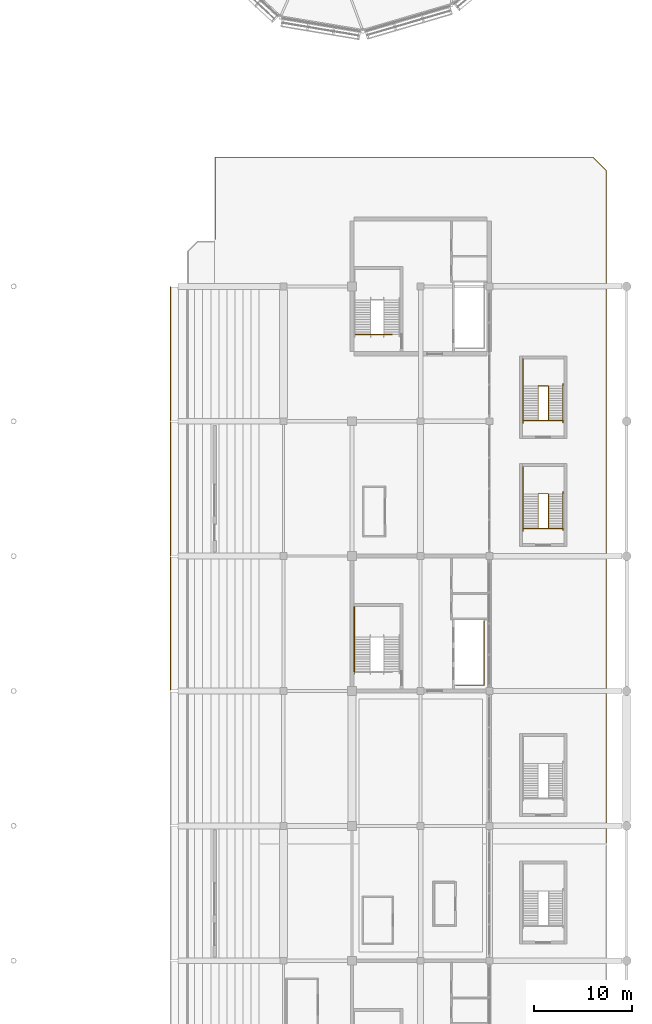
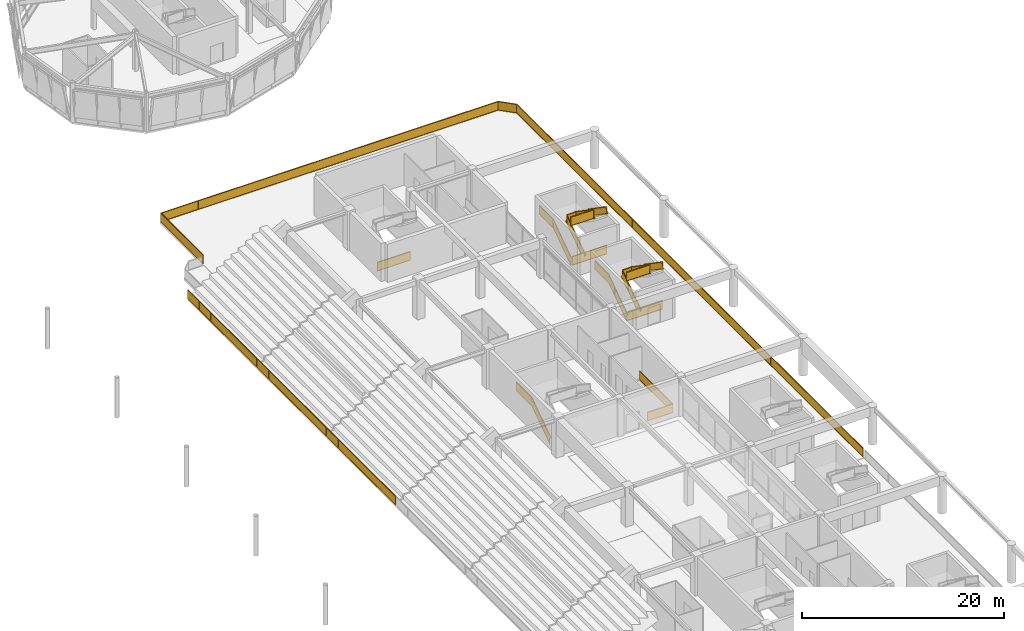
# One storey, part 88 of 94: 15 railings.
"""IFC4 building model written with IfcOpenShell, lengths in metres."""

from ifc_helpers import new_model, si_unit, direction, frame, origin, origin_2d, place, context, subcontext, project, spatial, rectangle, extrude, material, type_object, element, save


model = new_model("IFC4")

# Units and contexts
model_context = context("Model", 3, precision=1e-05, world=origin(), true_north=direction((0.0, 1.0)))
body_context = subcontext(model_context, "Body", "Model", "MODEL_VIEW")
ifc_project = project(units=[si_unit("LENGTHUNIT", "METRE"), si_unit("AREAUNIT", "SQUARE_METRE"), si_unit("VOLUMEUNIT", "CUBIC_METRE"), si_unit("PLANEANGLEUNIT", "RADIAN"), si_unit("MASSUNIT", "GRAM", prefix="KILO")], contexts=[model_context])

# Site, building, storey
site_placement = place(None, origin())
site = spatial("IfcSite", under=ifc_project, at=site_placement, CompositionType="ELEMENT")
building_placement = place(site_placement, origin())
building = spatial("IfcBuilding", under=site, at=building_placement, Name="Linyun Crest Stadium", CompositionType="ELEMENT")
storey_placement = place(building_placement, frame((0.0, 0.0, 16.199951171875)))
storey = spatial("IfcBuildingStorey", under=building, at=storey_placement, Name="L04", CompositionType="ELEMENT", Elevation=16.199951171875)

# Railings
ifc_material_1 = material(Name="Galvanized and powder-coated steel bowl safety barrier", Category="steel")
railing_type_1 = type_object("IfcRailingType", Name="GR02", PredefinedType="GUARDRAIL", material=ifc_material_1)
for number, where, name in (
    (1, (51.5, 2.205078125, 0.35009765625), "Bowl front safety guard GR02 39"),
    (2, (51.5, 15.955078125, 0.35009765625), "Bowl front safety guard GR02 47"),
    (3, (51.5, 29.705078125, 0.35009765625), "Bowl front safety guard GR02 55"),
):
    element("IfcRailing", number, at=place(storey_placement, frame(where)), inside=storey, type_object=railing_type_1, Name=name, PredefinedType="GUARDRAIL", context=body_context, shape_type="SweptSolid", body=[
        extrude(rectangle(XDim=0.06005859375, YDim=0.06005859375, at=origin_2d()), frame((0.0, 0.0, 1.090087890625), z_axis=(0.0, 1.0, 0.0), x_axis=(-1.0, 0.0, 0.0)), (0.0, 0.0, 1.0), 13.58984375),
        extrude(rectangle(XDim=0.030029296875, YDim=1.0, at=origin_2d()), frame((0.0, 0.0, 0.56005859375), z_axis=(0.0, 1.0, 0.0), x_axis=(-1.0, 0.0, 0.0)), (0.0, 0.0, 1.0), 13.58984375),
        extrude(rectangle(XDim=0.06005859375, YDim=0.06005859375, at=origin_2d()), frame((0.0, 0.0, 0.030029296875), z_axis=(0.0, 1.0, 0.0), x_axis=(-1.0, 0.0, 0.0)), (0.0, 0.0, 1.0), 13.58984375),
        extrude(rectangle(XDim=0.050048828125, YDim=0.050048828125, at=origin_2d()), origin(), (0.0, 0.0, 1.0), 1.1201171875),
        extrude(rectangle(XDim=0.050048828125, YDim=0.050048828125, at=origin_2d()), frame((0.0, 2.264892578125, 0.0)), (0.0, 0.0, 1.0), 1.1201171875),
        extrude(rectangle(XDim=0.050048828125, YDim=0.050048828125, at=origin_2d()), frame((0.0, 4.530029296875, 0.0)), (0.0, 0.0, 1.0), 1.1201171875),
        extrude(rectangle(XDim=0.050048828125, YDim=0.050048828125, at=origin_2d()), frame((0.0, 6.794921875, 0.0)), (0.0, 0.0, 1.0), 1.1201171875),
        extrude(rectangle(XDim=0.050048828125, YDim=0.050048828125, at=origin_2d()), frame((0.0, 9.059814453125, 0.0)), (0.0, 0.0, 1.0), 1.1201171875),
        extrude(rectangle(XDim=0.050048828125, YDim=0.050048828125, at=origin_2d()), frame((0.0, 11.324951171875, 0.0)), (0.0, 0.0, 1.0), 1.1201171875),
        extrude(rectangle(XDim=0.050048828125, YDim=0.050048828125, at=origin_2d()), frame((0.0, 13.58984375, 0.0)), (0.0, 0.0, 1.0), 1.1201171875),
    ])
railing_1_placement = place(storey_placement, frame((56.06005859375, 48.160888671875, 0.0)))
element("IfcRailing", 4, at=railing_1_placement, inside=storey, type_object=railing_type_1, Name="Slab edge balustrade GR02 161", PredefinedType="GUARDRAIL", context=body_context, shape_type="SweptSolid", body=[
    extrude(rectangle(XDim=0.06005859375, YDim=0.06005859375, at=origin_2d()), frame((0.0, 0.0, 1.090087890625), z_axis=(0.0, 1.0, 0.0), x_axis=(-1.0, 0.0, 0.0)), (0.0, 0.0, 1.0), 8.364013671875),
    extrude(rectangle(XDim=0.030029296875, YDim=1.0, at=origin_2d()), frame((0.0, 0.0, 0.56005859375), z_axis=(0.0, 1.0, 0.0), x_axis=(-1.0, 0.0, 0.0)), (0.0, 0.0, 1.0), 8.364013671875),
    extrude(rectangle(XDim=0.06005859375, YDim=0.06005859375, at=origin_2d()), frame((0.0, 0.0, 0.030029296875), z_axis=(0.0, 1.0, 0.0), x_axis=(-1.0, 0.0, 0.0)), (0.0, 0.0, 1.0), 8.364013671875),
    extrude(rectangle(XDim=0.06005859375, YDim=0.06005859375, at=origin_2d()), frame((0.0, 8.364013671875, 1.090087890625), z_axis=(1.0, 0.0, 0.0), x_axis=(0.0, 1.0, 0.0)), (0.0, 0.0, 1.0), 38.514892578125),
    extrude(rectangle(XDim=0.030029296875, YDim=1.0, at=origin_2d()), frame((0.0, 8.364013671875, 0.56005859375), z_axis=(1.0, 0.0, 0.0), x_axis=(0.0, 1.0, 0.0)), (0.0, 0.0, 1.0), 38.514892578125),
    extrude(rectangle(XDim=0.06005859375, YDim=0.06005859375, at=origin_2d()), frame((0.0, 8.364013671875, 0.030029296875), z_axis=(1.0, 0.0, 0.0), x_axis=(0.0, 1.0, 0.0)), (0.0, 0.0, 1.0), 38.514892578125),
    extrude(rectangle(XDim=0.06005859375, YDim=0.06005859375, at=origin_2d()), frame((38.514892578125, 8.364013671875, 1.090087890625), z_axis=(0.707106781187, -0.707106781187, 0.0), x_axis=(0.707106781187, 0.707106781187, 0.0)), (0.0, 0.0, 1.0), 1.930419921875),
    extrude(rectangle(XDim=0.030029296875, YDim=1.0, at=origin_2d()), frame((38.514892578125, 8.364013671875, 0.56005859375), z_axis=(0.707106781187, -0.707106781187, 0.0), x_axis=(0.707106781187, 0.707106781187, 0.0)), (0.0, 0.0, 1.0), 1.930419921875),
    extrude(rectangle(XDim=0.06005859375, YDim=0.06005859375, at=origin_2d()), frame((38.514892578125, 8.364013671875, 0.030029296875), z_axis=(0.707106781187, -0.707106781187, 0.0), x_axis=(0.707106781187, 0.707106781187, 0.0)), (0.0, 0.0, 1.0), 1.930419921875),
    extrude(rectangle(XDim=0.06005859375, YDim=0.06005859375, at=origin_2d()), frame((39.8798828125, 6.9990234375, 1.090087890625), z_axis=(0.0, -1.0, 0.0), x_axis=(1.0, 0.0, 0.0)), (0.0, 0.0, 1.0), 68.489990234375),
    extrude(rectangle(XDim=0.030029296875, YDim=1.0, at=origin_2d()), frame((39.8798828125, 6.9990234375, 0.56005859375), z_axis=(0.0, -1.0, 0.0), x_axis=(1.0, 0.0, 0.0)), (0.0, 0.0, 1.0), 68.489990234375),
    extrude(rectangle(XDim=0.06005859375, YDim=0.06005859375, at=origin_2d()), frame((39.8798828125, 6.9990234375, 0.030029296875), z_axis=(0.0, -1.0, 0.0), x_axis=(1.0, 0.0, 0.0)), (0.0, 0.0, 1.0), 68.489990234375),
    extrude(rectangle(XDim=0.050048828125, YDim=0.050048828125, at=origin_2d()), origin(), (0.0, 0.0, 1.0), 1.1201171875),
    extrude(rectangle(XDim=0.050048828125, YDim=0.050048828125, at=origin_2d()), frame((0.0, 4.18212890625, 0.0)), (0.0, 0.0, 1.0), 1.1201171875),
    extrude(rectangle(XDim=0.050048828125, YDim=0.050048828125, at=origin_2d()), frame((0.0, 8.364013671875, 0.0)), (0.0, 0.0, 1.0), 1.1201171875),
    extrude(rectangle(XDim=0.050048828125, YDim=0.050048828125, at=origin_2d()), frame((4.279541015625, 8.364013671875, 0.0)), (0.0, 0.0, 1.0), 1.1201171875),
    extrude(rectangle(XDim=0.050048828125, YDim=0.050048828125, at=origin_2d()), frame((8.558837890625, 8.364013671875, 0.0)), (0.0, 0.0, 1.0), 1.1201171875),
    extrude(rectangle(XDim=0.050048828125, YDim=0.050048828125, at=origin_2d()), frame((12.83837890625, 8.364013671875, 0.0)), (0.0, 0.0, 1.0), 1.1201171875),
    extrude(rectangle(XDim=0.050048828125, YDim=0.050048828125, at=origin_2d()), frame((17.11767578125, 8.364013671875, 0.0)), (0.0, 0.0, 1.0), 1.1201171875),
    extrude(rectangle(XDim=0.050048828125, YDim=0.050048828125, at=origin_2d()), frame((21.397216796875, 8.364013671875, 0.0)), (0.0, 0.0, 1.0), 1.1201171875),
    extrude(rectangle(XDim=0.050048828125, YDim=0.050048828125, at=origin_2d()), frame((25.676513671875, 8.364013671875, 0.0)), (0.0, 0.0, 1.0), 1.1201171875),
    extrude(rectangle(XDim=0.050048828125, YDim=0.050048828125, at=origin_2d()), frame((29.9560546875, 8.364013671875, 0.0)), (0.0, 0.0, 1.0), 1.1201171875),
    extrude(rectangle(XDim=0.050048828125, YDim=0.050048828125, at=origin_2d()), frame((34.2353515625, 8.364013671875, 0.0)), (0.0, 0.0, 1.0), 1.1201171875),
    extrude(rectangle(XDim=0.050048828125, YDim=0.050048828125, at=origin_2d()), frame((38.514892578125, 8.364013671875, 0.0)), (0.0, 0.0, 1.0), 1.1201171875),
    extrude(rectangle(XDim=0.050048828125, YDim=0.050048828125, at=origin_2d()), frame((39.8798828125, 6.9990234375, 0.0)), (0.0, 0.0, 1.0), 1.1201171875),
    extrude(rectangle(XDim=0.050048828125, YDim=0.050048828125, at=origin_2d()), frame((39.8798828125, 2.43310546875, 0.0)), (0.0, 0.0, 1.0), 1.1201171875),
    extrude(rectangle(XDim=0.050048828125, YDim=0.050048828125, at=origin_2d()), frame((39.8798828125, -2.133056640625, 0.0)), (0.0, 0.0, 1.0), 1.1201171875),
    extrude(rectangle(XDim=0.050048828125, YDim=0.050048828125, at=origin_2d()), frame((39.8798828125, -6.698974609375, 0.0)), (0.0, 0.0, 1.0), 1.1201171875),
    extrude(rectangle(XDim=0.050048828125, YDim=0.050048828125, at=origin_2d()), frame((39.8798828125, -11.264892578125, 0.0)), (0.0, 0.0, 1.0), 1.1201171875),
    extrude(rectangle(XDim=0.050048828125, YDim=0.050048828125, at=origin_2d()), frame((39.8798828125, -15.8310546875, 0.0)), (0.0, 0.0, 1.0), 1.1201171875),
    extrude(rectangle(XDim=0.050048828125, YDim=0.050048828125, at=origin_2d()), frame((39.8798828125, -20.39697265625, 0.0)), (0.0, 0.0, 1.0), 1.1201171875),
    extrude(rectangle(XDim=0.050048828125, YDim=0.050048828125, at=origin_2d()), frame((39.8798828125, -24.962890625, 0.0)), (0.0, 0.0, 1.0), 1.1201171875),
    extrude(rectangle(XDim=0.050048828125, YDim=0.050048828125, at=origin_2d()), frame((39.8798828125, -29.529052734375, 0.0)), (0.0, 0.0, 1.0), 1.1201171875),
    extrude(rectangle(XDim=0.050048828125, YDim=0.050048828125, at=origin_2d()), frame((39.8798828125, -34.094970703125, 0.0)), (0.0, 0.0, 1.0), 1.1201171875),
    extrude(rectangle(XDim=0.050048828125, YDim=0.050048828125, at=origin_2d()), frame((39.8798828125, -38.660888671875, 0.0)), (0.0, 0.0, 1.0), 1.1201171875),
    extrude(rectangle(XDim=0.050048828125, YDim=0.050048828125, at=origin_2d()), frame((39.8798828125, -43.22705078125, 0.0)), (0.0, 0.0, 1.0), 1.1201171875),
    extrude(rectangle(XDim=0.050048828125, YDim=0.050048828125, at=origin_2d()), frame((39.8798828125, -47.79296875, 0.0)), (0.0, 0.0, 1.0), 1.1201171875),
    extrude(rectangle(XDim=0.050048828125, YDim=0.050048828125, at=origin_2d()), frame((39.8798828125, -52.35888671875, 0.0)), (0.0, 0.0, 1.0), 1.1201171875),
    extrude(rectangle(XDim=0.050048828125, YDim=0.050048828125, at=origin_2d()), frame((39.8798828125, -56.925048828125, 0.0)), (0.0, 0.0, 1.0), 1.1201171875),
    extrude(rectangle(XDim=0.050048828125, YDim=0.050048828125, at=origin_2d()), frame((39.8798828125, -61.490966796875, 0.0)), (0.0, 0.0, 1.0), 1.1201171875),
])
for number, where, name in (
    (5, (87.5400390625, 18.68994140625, 0.0), "Slab edge balustrade GR02 163"),
    (6, (87.5400390625, 29.68994140625, 0.0), "Slab edge balustrade GR02 164"),
):
    element("IfcRailing", number, at=place(storey_placement, frame(where)), inside=storey, type_object=railing_type_1, Name=name, PredefinedType="GUARDRAIL", context=body_context, shape_type="SweptSolid", body=[
        extrude(rectangle(XDim=0.06005859375, YDim=0.06005859375, at=origin_2d()), frame((0.0, 0.0, 1.090087890625), z_axis=(1.0, 0.0, 0.0), x_axis=(0.0, 1.0, 0.0)), (0.0, 0.0, 1.0), 3.919921875),
        extrude(rectangle(XDim=0.030029296875, YDim=1.0, at=origin_2d()), frame((0.0, 0.0, 0.56005859375), z_axis=(1.0, 0.0, 0.0), x_axis=(0.0, 1.0, 0.0)), (0.0, 0.0, 1.0), 3.919921875),
        extrude(rectangle(XDim=0.06005859375, YDim=0.06005859375, at=origin_2d()), frame((0.0, 0.0, 0.030029296875), z_axis=(1.0, 0.0, 0.0), x_axis=(0.0, 1.0, 0.0)), (0.0, 0.0, 1.0), 3.919921875),
        extrude(rectangle(XDim=0.050048828125, YDim=0.050048828125, at=origin_2d()), origin(), (0.0, 0.0, 1.0), 1.1201171875),
        extrude(rectangle(XDim=0.050048828125, YDim=0.050048828125, at=origin_2d()), frame((3.919921875, 0.0, 0.0)), (0.0, 0.0, 1.0), 1.1201171875),
    ])
railing_2_placement = place(storey_placement, frame((80.580078125, 2.715087890625, 0.0)))
element("IfcRailing", 7, at=railing_2_placement, inside=storey, type_object=railing_type_1, Name="Slab edge balustrade GR02 165", PredefinedType="GUARDRAIL", context=body_context, shape_type="SweptSolid", body=[
    extrude(rectangle(XDim=0.06005859375, YDim=0.06005859375, at=origin_2d()), frame((0.0, 0.0, 1.090087890625), z_axis=(1.0, 0.0, 0.0), x_axis=(0.0, 1.0, 0.0)), (0.0, 0.0, 1.0), 2.8798828125),
    extrude(rectangle(XDim=0.030029296875, YDim=1.0, at=origin_2d()), frame((0.0, 0.0, 0.56005859375), z_axis=(1.0, 0.0, 0.0), x_axis=(0.0, 1.0, 0.0)), (0.0, 0.0, 1.0), 2.8798828125),
    extrude(rectangle(XDim=0.06005859375, YDim=0.06005859375, at=origin_2d()), frame((0.0, 0.0, 0.030029296875), z_axis=(1.0, 0.0, 0.0), x_axis=(0.0, 1.0, 0.0)), (0.0, 0.0, 1.0), 2.8798828125),
    extrude(rectangle(XDim=0.06005859375, YDim=0.06005859375, at=origin_2d()), frame((2.8798828125, 0.0, 1.090087890625), z_axis=(0.0, 1.0, 0.0), x_axis=(-1.0, 0.0, 0.0)), (0.0, 0.0, 1.0), 6.5498046875),
    extrude(rectangle(XDim=0.030029296875, YDim=1.0, at=origin_2d()), frame((2.8798828125, 0.0, 0.56005859375), z_axis=(0.0, 1.0, 0.0), x_axis=(-1.0, 0.0, 0.0)), (0.0, 0.0, 1.0), 6.5498046875),
    extrude(rectangle(XDim=0.06005859375, YDim=0.06005859375, at=origin_2d()), frame((2.8798828125, 0.0, 0.030029296875), z_axis=(0.0, 1.0, 0.0), x_axis=(-1.0, 0.0, 0.0)), (0.0, 0.0, 1.0), 6.5498046875),
    extrude(rectangle(XDim=0.050048828125, YDim=0.050048828125, at=origin_2d()), origin(), (0.0, 0.0, 1.0), 1.1201171875),
    extrude(rectangle(XDim=0.050048828125, YDim=0.050048828125, at=origin_2d()), frame((2.8798828125, 0.0, 0.0)), (0.0, 0.0, 1.0), 1.1201171875),
    extrude(rectangle(XDim=0.050048828125, YDim=0.050048828125, at=origin_2d()), frame((2.8798828125, 3.27490234375, 0.0)), (0.0, 0.0, 1.0), 1.1201171875),
    extrude(rectangle(XDim=0.050048828125, YDim=0.050048828125, at=origin_2d()), frame((2.8798828125, 6.5498046875, 0.0)), (0.0, 0.0, 1.0), 1.1201171875),
])
railing_3_placement = place(storey_placement, frame((70.364990234375, 38.4599609375, 0.0)))
element("IfcRailing", 8, at=railing_3_placement, inside=storey, type_object=railing_type_1, Name="Slab edge balustrade GR02 168", PredefinedType="GUARDRAIL", context=body_context, shape_type="SweptSolid", body=[
    extrude(rectangle(XDim=0.06005859375, YDim=0.06005859375, at=origin_2d()), frame((0.0, 0.0, 1.090087890625), z_axis=(1.0, 0.0, 0.0), x_axis=(0.0, 1.0, 0.0)), (0.0, 0.0, 1.0), 3.735107421875),
    extrude(rectangle(XDim=0.030029296875, YDim=1.0, at=origin_2d()), frame((0.0, 0.0, 0.56005859375), z_axis=(1.0, 0.0, 0.0), x_axis=(0.0, 1.0, 0.0)), (0.0, 0.0, 1.0), 3.735107421875),
    extrude(rectangle(XDim=0.06005859375, YDim=0.06005859375, at=origin_2d()), frame((0.0, 0.0, 0.030029296875), z_axis=(1.0, 0.0, 0.0), x_axis=(0.0, 1.0, 0.0)), (0.0, 0.0, 1.0), 3.735107421875),
    extrude(rectangle(XDim=0.050048828125, YDim=0.050048828125, at=origin_2d()), origin(), (0.0, 0.0, 1.0), 1.1201171875),
    extrude(rectangle(XDim=0.050048828125, YDim=0.050048828125, at=origin_2d()), frame((3.735107421875, 0.0, 0.0)), (0.0, 0.0, 1.0), 1.1201171875),
])
ifc_material_2 = material(Name="Painted steel stairwell safety guard", Category="steel")
railing_type_2 = type_object("IfcRailingType", Name="GR03", PredefinedType="GUARDRAIL", material=ifc_material_2)
railing_4_placement = place(storey_placement, frame((70.22998046875, 4.114990234375, 0.0)))
element("IfcRailing", 9, at=railing_4_placement, inside=storey, type_object=railing_type_2, Name="STR-05-L04 outer guard", PredefinedType="GUARDRAIL", context=body_context, shape_type="SweptSolid", body=[
    extrude(rectangle(XDim=0.06005859375, YDim=0.06005859375, at=origin_2d()), frame((0.0, 0.0, 1.090087890625), z_axis=(0.0, 0.824712752785, 0.565551832633), x_axis=(-1.0, 0.0, 0.0)), (0.0, 0.0, 1.0), 4.243896484375),
    extrude(rectangle(XDim=0.030029296875, YDim=1.0, at=origin_2d()), frame((0.0, 0.0, 0.56005859375), z_axis=(0.0, 0.824712752785, 0.565551832633), x_axis=(-1.0, 0.0, 0.0)), (0.0, 0.0, 1.0), 4.243896484375),
    extrude(rectangle(XDim=0.06005859375, YDim=0.06005859375, at=origin_2d()), frame((0.0, 0.0, 0.030029296875), z_axis=(0.0, 0.824712752785, 0.565551832633), x_axis=(-1.0, 0.0, 0.0)), (0.0, 0.0, 1.0), 4.243896484375),
    extrude(rectangle(XDim=0.06005859375, YDim=0.06005859375, at=origin_2d()), frame((0.0, 3.5, 3.490234375), z_axis=(0.0, 1.0, 0.0), x_axis=(-1.0, 0.0, 0.0)), (0.0, 0.0, 1.0), 3.080078125),
    extrude(rectangle(XDim=0.030029296875, YDim=1.0, at=origin_2d()), frame((0.0, 3.5, 2.960205078125), z_axis=(0.0, 1.0, 0.0), x_axis=(-1.0, 0.0, 0.0)), (0.0, 0.0, 1.0), 3.080078125),
    extrude(rectangle(XDim=0.06005859375, YDim=0.06005859375, at=origin_2d()), frame((0.0, 3.5, 2.43017578125), z_axis=(0.0, 1.0, 0.0), x_axis=(-1.0, 0.0, 0.0)), (0.0, 0.0, 1.0), 3.080078125),
    extrude(rectangle(XDim=0.050048828125, YDim=0.050048828125, at=origin_2d()), origin(), (0.0, 0.0, 1.0), 1.1201171875),
    extrude(rectangle(XDim=0.050048828125, YDim=0.050048828125, at=origin_2d()), frame((0.0, 1.166748046875, 0.800048828125)), (0.0, 0.0, 1.0), 1.1201171875),
    extrude(rectangle(XDim=0.050048828125, YDim=0.050048828125, at=origin_2d()), frame((0.0, 2.333251953125, 1.60009765625)), (0.0, 0.0, 1.0), 1.1201171875),
    extrude(rectangle(XDim=0.050048828125, YDim=0.050048828125, at=origin_2d()), frame((0.0, 3.5, 2.400146484375)), (0.0, 0.0, 1.0), 1.1201171875),
    extrude(rectangle(XDim=0.050048828125, YDim=0.050048828125, at=origin_2d()), frame((0.0, 5.0400390625, 2.400146484375)), (0.0, 0.0, 1.0), 1.1201171875),
    extrude(rectangle(XDim=0.050048828125, YDim=0.050048828125, at=origin_2d()), frame((0.0, 6.580078125, 2.400146484375)), (0.0, 0.0, 1.0), 1.1201171875),
])
railing_5_placement = place(storey_placement, frame((87.429931640625, 18.719970703125, 0.0)))
element("IfcRailing", 10, at=railing_5_placement, inside=storey, type_object=railing_type_2, Name="STR-21-L04 outer guard", PredefinedType="GUARDRAIL", context=body_context, shape_type="SweptSolid", body=[
    extrude(rectangle(XDim=0.06005859375, YDim=0.06005859375, at=origin_2d()), frame((0.0, 0.0, 1.090087890625), z_axis=(0.0, 0.824712752785, 0.565551832633), x_axis=(-1.0, 0.0, 0.0)), (0.0, 0.0, 1.0), 4.243896484375),
    extrude(rectangle(XDim=0.030029296875, YDim=1.0, at=origin_2d()), frame((0.0, 0.0, 0.56005859375), z_axis=(0.0, 0.824712752785, 0.565551832633), x_axis=(-1.0, 0.0, 0.0)), (0.0, 0.0, 1.0), 4.243896484375),
    extrude(rectangle(XDim=0.06005859375, YDim=0.06005859375, at=origin_2d()), frame((0.0, 0.0, 0.030029296875), z_axis=(0.0, 0.824712752785, 0.565551832633), x_axis=(-1.0, 0.0, 0.0)), (0.0, 0.0, 1.0), 4.243896484375),
    extrude(rectangle(XDim=0.06005859375, YDim=0.06005859375, at=origin_2d()), frame((0.0, 3.5, 3.490234375), z_axis=(0.0, 1.0, 0.0), x_axis=(-1.0, 0.0, 0.0)), (0.0, 0.0, 1.0), 2.75),
    extrude(rectangle(XDim=0.030029296875, YDim=1.0, at=origin_2d()), frame((0.0, 3.5, 2.960205078125), z_axis=(0.0, 1.0, 0.0), x_axis=(-1.0, 0.0, 0.0)), (0.0, 0.0, 1.0), 2.75),
    extrude(rectangle(XDim=0.06005859375, YDim=0.06005859375, at=origin_2d()), frame((0.0, 3.5, 2.43017578125), z_axis=(0.0, 1.0, 0.0), x_axis=(-1.0, 0.0, 0.0)), (0.0, 0.0, 1.0), 2.75),
    extrude(rectangle(XDim=0.050048828125, YDim=0.050048828125, at=origin_2d()), origin(), (0.0, 0.0, 1.0), 1.1201171875),
    extrude(rectangle(XDim=0.050048828125, YDim=0.050048828125, at=origin_2d()), frame((0.0, 1.166748046875, 0.800048828125)), (0.0, 0.0, 1.0), 1.1201171875),
    extrude(rectangle(XDim=0.050048828125, YDim=0.050048828125, at=origin_2d()), frame((0.0, 2.333251953125, 1.60009765625)), (0.0, 0.0, 1.0), 1.1201171875),
    extrude(rectangle(XDim=0.050048828125, YDim=0.050048828125, at=origin_2d()), frame((0.0, 3.5, 2.400146484375)), (0.0, 0.0, 1.0), 1.1201171875),
    extrude(rectangle(XDim=0.050048828125, YDim=0.050048828125, at=origin_2d()), frame((0.0, 4.875, 2.400146484375)), (0.0, 0.0, 1.0), 1.1201171875),
    extrude(rectangle(XDim=0.050048828125, YDim=0.050048828125, at=origin_2d()), frame((0.0, 6.25, 2.400146484375)), (0.0, 0.0, 1.0), 1.1201171875),
])
railing_6_placement = place(storey_placement, frame((88.969970703125, 18.699951171875, 0.0)))
element("IfcRailing", 11, at=railing_6_placement, inside=storey, type_object=railing_type_2, Name="STR-21-L04 inner well guard", PredefinedType="GUARDRAIL", context=body_context, shape_type="SweptSolid", body=[
    extrude(rectangle(XDim=0.06005859375, YDim=0.06005859375, at=origin_2d()), frame((0.0, 0.0, 1.090087890625), z_axis=(0.0, 0.826212794201, 0.563358162005), x_axis=(-1.0, 0.0, 0.0)), (0.0, 0.0, 1.0), 4.260498046875),
    extrude(rectangle(XDim=0.030029296875, YDim=1.0, at=origin_2d()), frame((0.0, 0.0, 0.56005859375), z_axis=(0.0, 0.826212794201, 0.563358162005), x_axis=(-1.0, 0.0, 0.0)), (0.0, 0.0, 1.0), 4.260498046875),
    extrude(rectangle(XDim=0.06005859375, YDim=0.06005859375, at=origin_2d()), frame((0.0, 0.0, 0.030029296875), z_axis=(0.0, 0.826212794201, 0.563358162005), x_axis=(-1.0, 0.0, 0.0)), (0.0, 0.0, 1.0), 4.260498046875),
    extrude(rectangle(XDim=0.06005859375, YDim=0.06005859375, at=origin_2d()), frame((0.0, 3.52001953125, 3.490234375), z_axis=(1.0, 0.0, 0.0), x_axis=(0.0, 1.0, 0.0)), (0.0, 0.0, 1.0), 1.06005859375),
    extrude(rectangle(XDim=0.030029296875, YDim=1.0, at=origin_2d()), frame((0.0, 3.52001953125, 2.960205078125), z_axis=(1.0, 0.0, 0.0), x_axis=(0.0, 1.0, 0.0)), (0.0, 0.0, 1.0), 1.06005859375),
    extrude(rectangle(XDim=0.06005859375, YDim=0.06005859375, at=origin_2d()), frame((0.0, 3.52001953125, 2.43017578125), z_axis=(1.0, 0.0, 0.0), x_axis=(0.0, 1.0, 0.0)), (0.0, 0.0, 1.0), 1.06005859375),
    extrude(rectangle(XDim=0.06005859375, YDim=0.06005859375, at=origin_2d()), frame((1.06005859375, 3.52001953125, 3.490234375), z_axis=(0.0, -0.826239466617, 0.563319042644), x_axis=(1.0, 0.0, 0.0)), (0.0, 0.0, 1.0), 4.26025390625),
    extrude(rectangle(XDim=0.030029296875, YDim=1.0, at=origin_2d()), frame((1.06005859375, 3.52001953125, 2.960205078125), z_axis=(0.0, -0.826239466617, 0.563319042644), x_axis=(1.0, 0.0, 0.0)), (0.0, 0.0, 1.0), 4.26025390625),
    extrude(rectangle(XDim=0.06005859375, YDim=0.06005859375, at=origin_2d()), frame((1.06005859375, 3.52001953125, 2.43017578125), z_axis=(0.0, -0.826239466617, 0.563319042644), x_axis=(1.0, 0.0, 0.0)), (0.0, 0.0, 1.0), 4.26025390625),
    extrude(rectangle(XDim=0.06005859375, YDim=0.06005859375, at=origin_2d()), frame((1.06005859375, 0.0, 5.89013671875), z_axis=(-1.0, 0.0, 0.0), x_axis=(0.0, -1.0, 0.0)), (0.0, 0.0, 1.0), 2.610107421875),
    extrude(rectangle(XDim=0.030029296875, YDim=1.0, at=origin_2d()), frame((1.06005859375, 0.0, 5.360107421875), z_axis=(-1.0, 0.0, 0.0), x_axis=(0.0, -1.0, 0.0)), (0.0, 0.0, 1.0), 2.610107421875),
    extrude(rectangle(XDim=0.06005859375, YDim=0.06005859375, at=origin_2d()), frame((1.06005859375, 0.0, 4.830078125), z_axis=(-1.0, 0.0, 0.0), x_axis=(0.0, -1.0, 0.0)), (0.0, 0.0, 1.0), 2.610107421875),
    extrude(rectangle(XDim=0.050048828125, YDim=0.050048828125, at=origin_2d()), origin(), (0.0, 0.0, 1.0), 1.1201171875),
    extrude(rectangle(XDim=0.050048828125, YDim=0.050048828125, at=origin_2d()), frame((0.0, 1.17333984375, 0.800048828125)), (0.0, 0.0, 1.0), 1.1201171875),
    extrude(rectangle(XDim=0.050048828125, YDim=0.050048828125, at=origin_2d()), frame((0.0, 2.3466796875, 1.60009765625)), (0.0, 0.0, 1.0), 1.1201171875),
    extrude(rectangle(XDim=0.050048828125, YDim=0.050048828125, at=origin_2d()), frame((0.0, 3.52001953125, 2.400146484375)), (0.0, 0.0, 1.0), 1.1201171875),
    extrude(rectangle(XDim=0.050048828125, YDim=0.050048828125, at=origin_2d()), frame((1.06005859375, 3.52001953125, 2.400146484375)), (0.0, 0.0, 1.0), 1.1201171875),
    extrude(rectangle(XDim=0.050048828125, YDim=0.050048828125, at=origin_2d()), frame((1.06005859375, 2.3466796875, 3.2001953125)), (0.0, 0.0, 1.0), 1.1201171875),
    extrude(rectangle(XDim=0.050048828125, YDim=0.050048828125, at=origin_2d()), frame((1.06005859375, 1.17333984375, 4.0)), (0.0, 0.0, 1.0), 1.1201171875),
    extrude(rectangle(XDim=0.050048828125, YDim=0.050048828125, at=origin_2d()), frame((1.06005859375, 0.0, 4.800048828125)), (0.0, 0.0, 1.0), 1.1201171875),
    extrude(rectangle(XDim=0.050048828125, YDim=0.050048828125, at=origin_2d()), frame((-0.2451171875, 0.0, 4.800048828125)), (0.0, 0.0, 1.0), 1.1201171875),
    extrude(rectangle(XDim=0.050048828125, YDim=0.050048828125, at=origin_2d()), frame((-1.550048828125, 0.0, 4.800048828125)), (0.0, 0.0, 1.0), 1.1201171875),
])
railing_7_placement = place(storey_placement, frame((87.429931640625, 29.719970703125, 0.0)))
element("IfcRailing", 12, at=railing_7_placement, inside=storey, type_object=railing_type_2, Name="STR-22-L04 outer guard", PredefinedType="GUARDRAIL", context=body_context, shape_type="SweptSolid", body=[
    extrude(rectangle(XDim=0.06005859375, YDim=0.06005859375, at=origin_2d()), frame((0.0, 0.0, 1.090087890625), z_axis=(0.0, 0.824712752785, 0.565551832633), x_axis=(-1.0, 0.0, 0.0)), (0.0, 0.0, 1.0), 4.243896484375),
    extrude(rectangle(XDim=0.030029296875, YDim=1.0, at=origin_2d()), frame((0.0, 0.0, 0.56005859375), z_axis=(0.0, 0.824712752785, 0.565551832633), x_axis=(-1.0, 0.0, 0.0)), (0.0, 0.0, 1.0), 4.243896484375),
    extrude(rectangle(XDim=0.06005859375, YDim=0.06005859375, at=origin_2d()), frame((0.0, 0.0, 0.030029296875), z_axis=(0.0, 0.824712752785, 0.565551832633), x_axis=(-1.0, 0.0, 0.0)), (0.0, 0.0, 1.0), 4.243896484375),
    extrude(rectangle(XDim=0.06005859375, YDim=0.06005859375, at=origin_2d()), frame((0.0, 3.5, 3.490234375), z_axis=(0.0, 1.0, 0.0), x_axis=(-1.0, 0.0, 0.0)), (0.0, 0.0, 1.0), 2.75),
    extrude(rectangle(XDim=0.030029296875, YDim=1.0, at=origin_2d()), frame((0.0, 3.5, 2.960205078125), z_axis=(0.0, 1.0, 0.0), x_axis=(-1.0, 0.0, 0.0)), (0.0, 0.0, 1.0), 2.75),
    extrude(rectangle(XDim=0.06005859375, YDim=0.06005859375, at=origin_2d()), frame((0.0, 3.5, 2.43017578125), z_axis=(0.0, 1.0, 0.0), x_axis=(-1.0, 0.0, 0.0)), (0.0, 0.0, 1.0), 2.75),
    extrude(rectangle(XDim=0.050048828125, YDim=0.050048828125, at=origin_2d()), origin(), (0.0, 0.0, 1.0), 1.1201171875),
    extrude(rectangle(XDim=0.050048828125, YDim=0.050048828125, at=origin_2d()), frame((0.0, 1.166748046875, 0.800048828125)), (0.0, 0.0, 1.0), 1.1201171875),
    extrude(rectangle(XDim=0.050048828125, YDim=0.050048828125, at=origin_2d()), frame((0.0, 2.333251953125, 1.60009765625)), (0.0, 0.0, 1.0), 1.1201171875),
    extrude(rectangle(XDim=0.050048828125, YDim=0.050048828125, at=origin_2d()), frame((0.0, 3.5, 2.400146484375)), (0.0, 0.0, 1.0), 1.1201171875),
    extrude(rectangle(XDim=0.050048828125, YDim=0.050048828125, at=origin_2d()), frame((0.0, 4.875, 2.400146484375)), (0.0, 0.0, 1.0), 1.1201171875),
    extrude(rectangle(XDim=0.050048828125, YDim=0.050048828125, at=origin_2d()), frame((0.0, 6.25, 2.400146484375)), (0.0, 0.0, 1.0), 1.1201171875),
])
railing_8_placement = place(storey_placement, frame((88.969970703125, 29.699951171875, 0.0)))
element("IfcRailing", 13, at=railing_8_placement, inside=storey, type_object=railing_type_2, Name="STR-22-L04 inner well guard", PredefinedType="GUARDRAIL", context=body_context, shape_type="SweptSolid", body=[
    extrude(rectangle(XDim=0.06005859375, YDim=0.06005859375, at=origin_2d()), frame((0.0, 0.0, 1.090087890625), z_axis=(0.0, 0.826212794201, 0.563358162005), x_axis=(-1.0, 0.0, 0.0)), (0.0, 0.0, 1.0), 4.260498046875),
    extrude(rectangle(XDim=0.030029296875, YDim=1.0, at=origin_2d()), frame((0.0, 0.0, 0.56005859375), z_axis=(0.0, 0.826212794201, 0.563358162005), x_axis=(-1.0, 0.0, 0.0)), (0.0, 0.0, 1.0), 4.260498046875),
    extrude(rectangle(XDim=0.06005859375, YDim=0.06005859375, at=origin_2d()), frame((0.0, 0.0, 0.030029296875), z_axis=(0.0, 0.826212794201, 0.563358162005), x_axis=(-1.0, 0.0, 0.0)), (0.0, 0.0, 1.0), 4.260498046875),
    extrude(rectangle(XDim=0.06005859375, YDim=0.06005859375, at=origin_2d()), frame((0.0, 3.52001953125, 3.490234375), z_axis=(1.0, 0.0, 0.0), x_axis=(0.0, 1.0, 0.0)), (0.0, 0.0, 1.0), 1.06005859375),
    extrude(rectangle(XDim=0.030029296875, YDim=1.0, at=origin_2d()), frame((0.0, 3.52001953125, 2.960205078125), z_axis=(1.0, 0.0, 0.0), x_axis=(0.0, 1.0, 0.0)), (0.0, 0.0, 1.0), 1.06005859375),
    extrude(rectangle(XDim=0.06005859375, YDim=0.06005859375, at=origin_2d()), frame((0.0, 3.52001953125, 2.43017578125), z_axis=(1.0, 0.0, 0.0), x_axis=(0.0, 1.0, 0.0)), (0.0, 0.0, 1.0), 1.06005859375),
    extrude(rectangle(XDim=0.06005859375, YDim=0.06005859375, at=origin_2d()), frame((1.06005859375, 3.52001953125, 3.490234375), z_axis=(0.0, -0.826239466617, 0.563319042644), x_axis=(1.0, 0.0, 0.0)), (0.0, 0.0, 1.0), 4.26025390625),
    extrude(rectangle(XDim=0.030029296875, YDim=1.0, at=origin_2d()), frame((1.06005859375, 3.52001953125, 2.960205078125), z_axis=(0.0, -0.826239466617, 0.563319042644), x_axis=(1.0, 0.0, 0.0)), (0.0, 0.0, 1.0), 4.26025390625),
    extrude(rectangle(XDim=0.06005859375, YDim=0.06005859375, at=origin_2d()), frame((1.06005859375, 3.52001953125, 2.43017578125), z_axis=(0.0, -0.826239466617, 0.563319042644), x_axis=(1.0, 0.0, 0.0)), (0.0, 0.0, 1.0), 4.26025390625),
    extrude(rectangle(XDim=0.06005859375, YDim=0.06005859375, at=origin_2d()), frame((1.06005859375, 0.0, 5.89013671875), z_axis=(-1.0, 0.0, 0.0), x_axis=(0.0, -1.0, 0.0)), (0.0, 0.0, 1.0), 2.610107421875),
    extrude(rectangle(XDim=0.030029296875, YDim=1.0, at=origin_2d()), frame((1.06005859375, 0.0, 5.360107421875), z_axis=(-1.0, 0.0, 0.0), x_axis=(0.0, -1.0, 0.0)), (0.0, 0.0, 1.0), 2.610107421875),
    extrude(rectangle(XDim=0.06005859375, YDim=0.06005859375, at=origin_2d()), frame((1.06005859375, 0.0, 4.830078125), z_axis=(-1.0, 0.0, 0.0), x_axis=(0.0, -1.0, 0.0)), (0.0, 0.0, 1.0), 2.610107421875),
    extrude(rectangle(XDim=0.050048828125, YDim=0.050048828125, at=origin_2d()), origin(), (0.0, 0.0, 1.0), 1.1201171875),
    extrude(rectangle(XDim=0.050048828125, YDim=0.050048828125, at=origin_2d()), frame((0.0, 1.17333984375, 0.800048828125)), (0.0, 0.0, 1.0), 1.1201171875),
    extrude(rectangle(XDim=0.050048828125, YDim=0.050048828125, at=origin_2d()), frame((0.0, 2.3466796875, 1.60009765625)), (0.0, 0.0, 1.0), 1.1201171875),
    extrude(rectangle(XDim=0.050048828125, YDim=0.050048828125, at=origin_2d()), frame((0.0, 3.52001953125, 2.400146484375)), (0.0, 0.0, 1.0), 1.1201171875),
    extrude(rectangle(XDim=0.050048828125, YDim=0.050048828125, at=origin_2d()), frame((1.06005859375, 3.52001953125, 2.400146484375)), (0.0, 0.0, 1.0), 1.1201171875),
    extrude(rectangle(XDim=0.050048828125, YDim=0.050048828125, at=origin_2d()), frame((1.06005859375, 2.3466796875, 3.2001953125)), (0.0, 0.0, 1.0), 1.1201171875),
    extrude(rectangle(XDim=0.050048828125, YDim=0.050048828125, at=origin_2d()), frame((1.06005859375, 1.17333984375, 4.0)), (0.0, 0.0, 1.0), 1.1201171875),
    extrude(rectangle(XDim=0.050048828125, YDim=0.050048828125, at=origin_2d()), frame((1.06005859375, 0.0, 4.800048828125)), (0.0, 0.0, 1.0), 1.1201171875),
    extrude(rectangle(XDim=0.050048828125, YDim=0.050048828125, at=origin_2d()), frame((-0.2451171875, 0.0, 4.800048828125)), (0.0, 0.0, 1.0), 1.1201171875),
    extrude(rectangle(XDim=0.050048828125, YDim=0.050048828125, at=origin_2d()), frame((-1.550048828125, 0.0, 4.800048828125)), (0.0, 0.0, 1.0), 1.1201171875),
])
ifc_material_3 = material(Name="Brushed stainless steel tubular handrail", Category="steel")
railing_type_3 = type_object("IfcRailingType", Name="HR01", PredefinedType="HANDRAIL", material=ifc_material_3)
for number, where, name in (
    (14, (91.52001953125, 22.219970703125, 2.400146484375), "STR-21-L04 handrail"),
    (15, (91.52001953125, 33.219970703125, 2.400146484375), "STR-22-L04 handrail"),
):
    element("IfcRailing", number, at=place(storey_placement, frame(where)), inside=storey, type_object=railing_type_3, Name=name, PredefinedType="HANDRAIL", context=body_context, shape_type="SweptSolid", body=[
        extrude(rectangle(XDim=0.06005859375, YDim=0.06005859375, at=origin_2d()), frame((0.0, 0.0, 0.889892578125), z_axis=(0.0, -0.824739584531, 0.5655127034), x_axis=(1.0, 0.0, 0.0)), (0.0, 0.0, 1.0), 4.24365234375),
        extrude(rectangle(XDim=0.030029296875, YDim=0.7998046875, at=origin_2d()), frame((0.0, 0.0, 0.4599609375), z_axis=(0.0, -0.824739584531, 0.5655127034), x_axis=(1.0, 0.0, 0.0)), (0.0, 0.0, 1.0), 4.24365234375),
        extrude(rectangle(XDim=0.06005859375, YDim=0.06005859375, at=origin_2d()), frame((0.0, 0.0, 0.030029296875), z_axis=(0.0, -0.824739584531, 0.5655127034), x_axis=(1.0, 0.0, 0.0)), (0.0, 0.0, 1.0), 4.24365234375),
        extrude(rectangle(XDim=0.050048828125, YDim=0.050048828125, at=origin_2d()), origin(), (0.0, 0.0, 1.0), 0.919921875),
        extrude(rectangle(XDim=0.050048828125, YDim=0.050048828125, at=origin_2d()), frame((0.0, -1.75, 1.199951171875)), (0.0, 0.0, 1.0), 0.919921875),
        extrude(rectangle(XDim=0.050048828125, YDim=0.050048828125, at=origin_2d()), frame((0.0, -3.5, 2.39990234375)), (0.0, 0.0, 1.0), 0.919921875),
    ])

save(model, "model.ifc")
